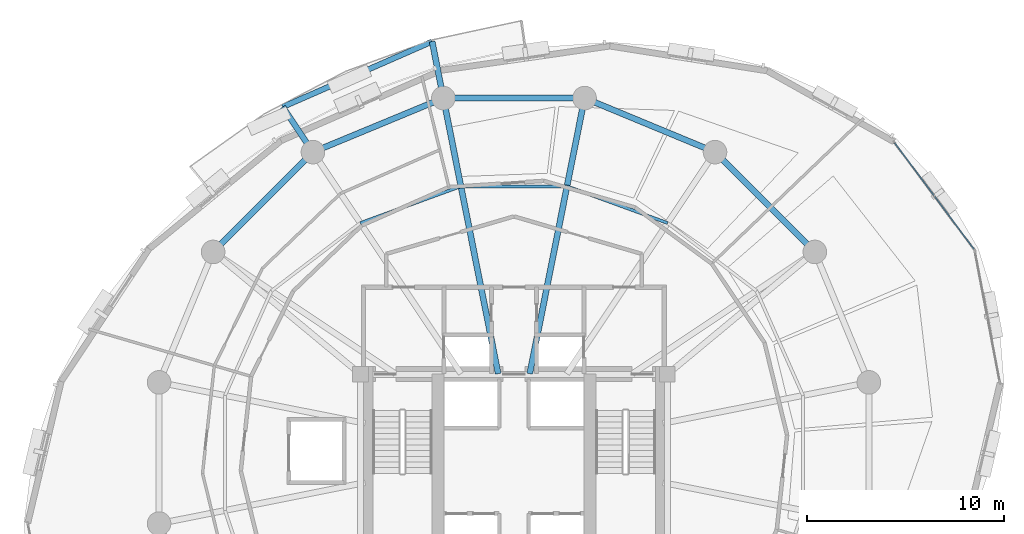
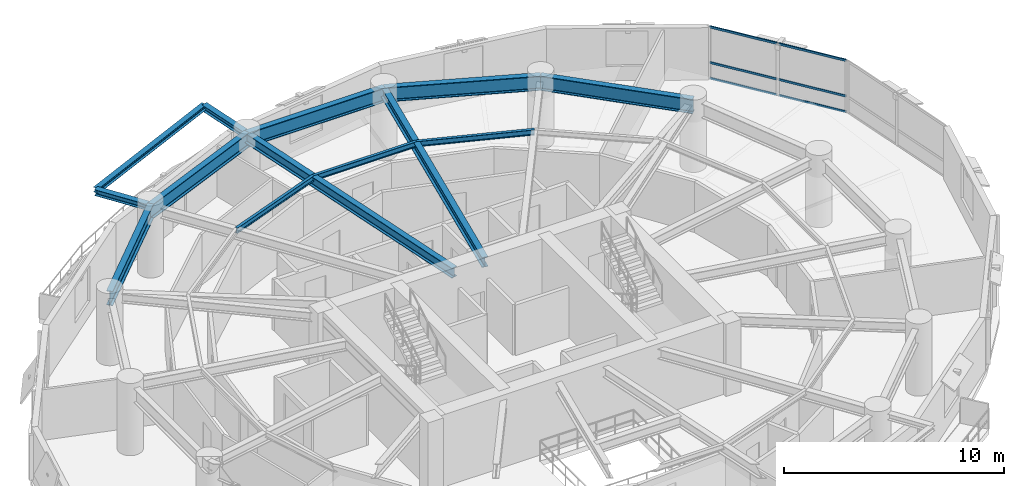
# One storey, part 7 of 14: 13 beams, 6 members, 1 element without a shape of its own.
"""IFC4 building model written with IfcOpenShell, lengths in metres."""

from ifc_helpers import new_model, si_unit, direction, frame, origin, origin_2d, place, context, subcontext, project, spatial, hollow_rectangle, i_section, extrude, material, layer, layer_set, material_profile, profile_set, type_object, element, aggregate, save


model = new_model("IFC4")

# Units and contexts
model_context = context("Model", 3, precision=1e-05, world=origin(), true_north=direction((0.0, 1.0)))
body_context = subcontext(model_context, "Body", "Model", "MODEL_VIEW")
ifc_project = project(units=[si_unit("LENGTHUNIT", "METRE"), si_unit("AREAUNIT", "SQUARE_METRE"), si_unit("VOLUMEUNIT", "CUBIC_METRE"), si_unit("PLANEANGLEUNIT", "RADIAN"), si_unit("MASSUNIT", "GRAM", prefix="KILO"), si_unit("THERMODYNAMICTEMPERATUREUNIT", "KELVIN"), si_unit("POWERUNIT", "WATT")], contexts=[model_context])

# Site, building, storey
site_placement = place(None, origin())
site = spatial("IfcSite", under=ifc_project, at=site_placement, CompositionType="ELEMENT")
building_placement = place(site_placement, origin())
building = spatial("IfcBuilding", under=site, at=building_placement, Name="Ocrelia Relay Tower", CompositionType="ELEMENT")
storey_placement = place(building_placement, frame((0.0, 0.0, 133.800048828125)))
storey = spatial("IfcBuildingStorey", under=building, at=storey_placement, Name="L31", CompositionType="ELEMENT", Elevation=133.800048828125)

# Beams
ifc_material_1 = material(Name="Steel S355", Category="steel")
ifc_material_profile_1 = material_profile(ifc_material_1, i_section(OverallWidth=0.280029296875, OverallDepth=0.27001953125, WebThickness=0.008056640625, FlangeThickness=0.012939453125, FilletRadius=0.02392578125, at=origin_2d()), Name="HEA 280")
ifc_profile_set_1 = profile_set([ifc_material_profile_1], Name="Steel S355")
beam_type_1 = type_object("IfcBeamType", Name="BM-HEA280", PredefinedType="BEAM", material=ifc_profile_set_1)
beam_1_placement = place(storey_placement, frame((29.838134765625, 46.923095703125, 3.5849609375), z_axis=(-0.916016054954, -0.401141604755, 0.0), x_axis=(0.401141604755, -0.916016054954, 0.0)))
element("IfcBeam", 1, at=beam_1_placement, inside=storey, type_object=beam_type_1, Name="L32 Balcony Edge Trimmer Beam B1", PredefinedType="BEAM", context=body_context, shape_type="SweptSolid", body=[
    extrude(i_section(OverallWidth=0.280029296875, OverallDepth=0.27001953125, WebThickness=0.008056640625, FlangeThickness=0.012939453125, FilletRadius=0.02392578125, at=origin_2d()), origin(), (0.0, 0.0, 1.0), 8.29248046875),
])
ifc_material_profile_2 = material_profile(ifc_material_1, i_section(OverallWidth=0.300048828125, OverallDepth=0.330078125, WebThickness=0.009521484375, FlangeThickness=0.0166015625, FilletRadius=0.027099609375, at=origin_2d()), Name="HEA 340")
ifc_profile_set_2 = profile_set([ifc_material_profile_2], Name="Steel S355")
beam_type_2 = type_object("IfcBeamType", Name="BM-HEA340", PredefinedType="BEAM", material=ifc_profile_set_2)
beam_2_placement = place(storey_placement, frame((30.410400390625, 44.04638671875, 3.554931640625), z_axis=(-0.195107582874, 0.980781846847, 0.0), x_axis=(-0.980781846847, -0.195107582874, 0.0)))
element("IfcBeam", 2, at=beam_2_placement, inside=storey, type_object=beam_type_2, Name="L32 Balcony Cantilever Beam B1-1", PredefinedType="BEAM", context=body_context, shape_type="SweptSolid", body=[
    extrude(i_section(OverallWidth=0.300048828125, OverallDepth=0.330078125, WebThickness=0.009521484375, FlangeThickness=0.0166015625, FilletRadius=0.027099609375, at=origin_2d()), origin(), (0.0, 0.0, 1.0), 2.93310546875),
])
beam_3_placement = place(storey_placement, frame((23.777587890625, 41.299072265625, 3.554931640625), z_axis=(-0.555617313636, 0.831438152112, 0.0), x_axis=(-0.831438152112, -0.555617313636, 0.0)))
element("IfcBeam", 3, at=beam_3_placement, inside=storey, type_object=beam_type_2, Name="L32 Balcony Cantilever Beam B1-2", PredefinedType="BEAM", context=body_context, shape_type="SweptSolid", body=[
    extrude(i_section(OverallWidth=0.300048828125, OverallDepth=0.330078125, WebThickness=0.009521484375, FlangeThickness=0.0166015625, FilletRadius=0.027099609375, at=origin_2d()), origin(), (0.0, 0.0, 1.0), 2.763427734375),
])
ifc_material_profile_3 = material_profile(ifc_material_1, i_section(OverallWidth=0.300048828125, OverallDepth=0.550048828125, WebThickness=0.014892578125, FlangeThickness=0.029052734375, FilletRadius=0.027099609375, at=origin_2d()), Name="HEB 550")
ifc_profile_set_3 = profile_set([ifc_material_profile_3], Name="Steel S355")
beam_type_3 = type_object("IfcBeamType", Name="BM-HEB550", PredefinedType="BEAM", material=ifc_profile_set_3)
for number, where, z_axis, x_axis, name in (
    (4, (37.589599609375, 44.04638671875, 3.445068359375), (-0.195094300142, -0.980784489096, 0.0), (0.980784489096, -0.195094300142, 0.0), "L31 Radial Floor Girder R04"),
    (5, (30.410400390625, 44.04638671875, 3.445068359375), (0.195094300142, -0.980784489096, 0.0), (0.980784489096, 0.195094300142, 0.0), "L31 Radial Floor Girder R05"),
):
    element("IfcBeam", number, at=place(storey_placement, frame(where, z_axis=z_axis, x_axis=x_axis)), inside=storey, type_object=beam_type_3, Name=name, PredefinedType="BEAM", context=body_context, shape_type="SweptSolid", body=[
        extrude(i_section(OverallWidth=0.300048828125, OverallDepth=0.550048828125, WebThickness=0.014892578125, FlangeThickness=0.029052734375, FilletRadius=0.027099609375, at=origin_2d()), origin(), (0.0, 0.0, 1.0), 14.291015625),
    ])
ifc_material_profile_4 = material_profile(ifc_material_1, i_section(OverallWidth=0.300048828125, OverallDepth=0.800048828125, WebThickness=0.017578125, FlangeThickness=0.032958984375, FilletRadius=0.030029296875, at=origin_2d()), Name="HEB 800")
ifc_profile_set_4 = profile_set([ifc_material_profile_4], Name="Steel S355")
beam_type_4 = type_object("IfcBeamType", Name="BM-HEB800", PredefinedType="BEAM", material=ifc_profile_set_4)
beam_4_placement = place(storey_placement, frame((49.299072265625, 36.222412109375, 3.320068359375), z_axis=(-0.707106781187, 0.707106781187, 0.0), x_axis=(-0.707106781187, -0.707106781187, 0.0)))
element("IfcBeam", 6, at=beam_4_placement, inside=storey, type_object=beam_type_4, Name="L31 Perimeter Spandrel Beam S02", PredefinedType="BEAM", context=body_context, shape_type="SweptSolid", body=[
    extrude(i_section(OverallWidth=0.300048828125, OverallDepth=0.800048828125, WebThickness=0.017578125, FlangeThickness=0.032958984375, FilletRadius=0.030029296875, at=origin_2d()), origin(), (0.0, 0.0, 1.0), 7.179443359375),
])
for number, where, z_axis, x_axis, name in (
    (7, (44.222412109375, 41.299072265625, 3.320068359375), (-0.923883789366, 0.382673155247, 0.0), (-0.382673155247, -0.923883789366, 0.0), "L31 Perimeter Spandrel Beam S03"),
    (8, (37.589599609375, 44.04638671875, 3.320068359375), (-1.0, 0.0, 0.0), (0.0, -1.0, 0.0), "L31 Perimeter Spandrel Beam S04"),
    (9, (30.410400390625, 44.04638671875, 3.320068359375), (-0.923883789366, -0.382673155247, 0.0), (0.382673155247, -0.923883789366, 0.0), "L31 Perimeter Spandrel Beam S05"),
):
    element("IfcBeam", number, at=place(storey_placement, frame(where, z_axis=z_axis, x_axis=x_axis)), inside=storey, type_object=beam_type_4, Name=name, PredefinedType="BEAM", context=body_context, shape_type="SweptSolid", body=[
        extrude(i_section(OverallWidth=0.300048828125, OverallDepth=0.800048828125, WebThickness=0.017578125, FlangeThickness=0.032958984375, FilletRadius=0.030029296875, at=origin_2d()), origin(), (0.0, 0.0, 1.0), 7.17919921875),
    ])
beam_5_placement = place(storey_placement, frame((23.777587890625, 41.299072265625, 3.320068359375), z_axis=(-0.707106781187, -0.707106781187, 0.0), x_axis=(0.707106781187, -0.707106781187, 0.0)))
element("IfcBeam", 10, at=beam_5_placement, inside=storey, type_object=beam_type_4, Name="L31 Perimeter Spandrel Beam S06", PredefinedType="BEAM", context=body_context, shape_type="SweptSolid", body=[
    extrude(i_section(OverallWidth=0.300048828125, OverallDepth=0.800048828125, WebThickness=0.017578125, FlangeThickness=0.032958984375, FilletRadius=0.030029296875, at=origin_2d()), origin(), (0.0, 0.0, 1.0), 7.179443359375),
])
ifc_material_profile_5 = material_profile(ifc_material_1, i_section(OverallWidth=0.14990234375, OverallDepth=0.300048828125, WebThickness=0.007080078125, FlangeThickness=0.0107421875, FilletRadius=0.014892578125, at=origin_2d()), Name="IPE 300")
ifc_profile_set_5 = profile_set([ifc_material_profile_5], Name="Steel S355")
beam_type_5 = type_object("IfcBeamType", Name="BM-IPE300", PredefinedType="JOIST", material=ifc_profile_set_5)
beam_6_placement = place(storey_placement, frame((41.81298828125, 37.69287109375, 3.570068359375), z_axis=(-0.93930687927, 0.34307810562, 0.0), x_axis=(-0.34307810562, -0.93930687927, 0.0)))
element("IfcBeam", 11, at=beam_6_placement, inside=storey, type_object=beam_type_5, Name="L31 Secondary Floor Joist J03", PredefinedType="JOIST", context=body_context, shape_type="SweptSolid", body=[
    extrude(i_section(OverallWidth=0.14990234375, OverallDepth=0.300048828125, WebThickness=0.007080078125, FlangeThickness=0.0107421875, FilletRadius=0.014892578125, at=origin_2d()), origin(), (0.0, 0.0, 1.0), 5.446044921875),
])
beam_7_placement = place(storey_placement, frame((36.697509765625, 39.561279296875, 3.570068359375), z_axis=(-1.0, 0.0, 0.0), x_axis=(0.0, -1.0, 0.0)))
element("IfcBeam", 12, at=beam_7_placement, inside=storey, type_object=beam_type_5, Name="L31 Secondary Floor Joist J04", PredefinedType="JOIST", context=body_context, shape_type="SweptSolid", body=[
    extrude(i_section(OverallWidth=0.14990234375, OverallDepth=0.300048828125, WebThickness=0.007080078125, FlangeThickness=0.0107421875, FilletRadius=0.014892578125, at=origin_2d()), origin(), (0.0, 0.0, 1.0), 5.39501953125),
])
beam_8_placement = place(storey_placement, frame((31.302490234375, 39.561279296875, 3.570068359375), z_axis=(-0.93930687927, -0.34307810562, 0.0), x_axis=(0.34307810562, -0.93930687927, 0.0)))
element("IfcBeam", 13, at=beam_8_placement, inside=storey, type_object=beam_type_5, Name="L31 Secondary Floor Joist J05", PredefinedType="JOIST", context=body_context, shape_type="SweptSolid", body=[
    extrude(i_section(OverallWidth=0.14990234375, OverallDepth=0.300048828125, WebThickness=0.007080078125, FlangeThickness=0.0107421875, FilletRadius=0.014892578125, at=origin_2d()), origin(), (0.0, 0.0, 1.0), 5.446044921875),
])

# Curtain wall, members
ifc_material_2 = material(Name="Aluminium and solar-control low-E glass", Category="aluminium")
ifc_layer = layer(ifc_material_2, 0.179931640625, Name="Aluminium and solar-control low-E glass")
ifc_layer_set = layer_set([ifc_layer], Name="Aluminium and solar-control low-E glass")
curtain_wall_type = type_object("IfcCurtainWallType", Name="CW-SYS-Z2-SWIT", PredefinedType="NOTDEFINED", material=ifc_layer_set)
curtain_wall_placement = place(storey_placement, origin())
curtain_wall = element("IfcCurtainWall", 14, at=curtain_wall_placement, inside=storey, type_object=curtain_wall_type, Name="L31 Elliptical Tower Curtain Wall Bay 01", PredefinedType="NOTDEFINED")
ifc_material_3 = material(Name="Anodised bronze aluminium", Category="aluminium")
ifc_material_profile_6 = material_profile(ifc_material_3, hollow_rectangle(XDim=0.06005859375, YDim=0.1201171875, WallThickness=0.0048828125, at=origin_2d()), Name="CW-TRN-120x60")
ifc_profile_set_6 = profile_set([ifc_material_profile_6], Name="Anodised bronze aluminium")
member_type = type_object("IfcMemberType", Name="CW-SYS-Z2-SWIT-TRN", PredefinedType="USERDEFINED", material=ifc_profile_set_6)
member_1_placement = place(storey_placement, frame((57.39013671875, 36.366455078125, 0.030029296875), z_axis=(-0.597889268807, 0.801578706208, 0.0), x_axis=(-0.801578706208, -0.597889268807, 0.0)))
member_1 = element("IfcMember", 15, at=member_1_placement, type_object=member_type, Name="CW-Z2 transom 1.1", ObjectType="TRANSOM", PredefinedType="USERDEFINED", context=body_context, shape_type="SweptSolid", body=[
    extrude(hollow_rectangle(XDim=0.06005859375, YDim=0.1201171875, WallThickness=0.0048828125, at=origin_2d()), origin(), (0.0, 0.0, 1.0), 3.33447265625),
])
member_2_placement = place(storey_placement, frame((57.39013671875, 36.366455078125, 0.89990234375), z_axis=(-0.597889268807, 0.801578706208, 0.0), x_axis=(-0.801578706208, -0.597889268807, 0.0)))
member_2 = element("IfcMember", 16, at=member_2_placement, type_object=member_type, Name="CW-Z2 transom 1.2", ObjectType="TRANSOM", PredefinedType="USERDEFINED", context=body_context, shape_type="SweptSolid", body=[
    extrude(hollow_rectangle(XDim=0.06005859375, YDim=0.1201171875, WallThickness=0.0048828125, at=origin_2d()), origin(), (0.0, 0.0, 1.0), 3.33447265625),
])
member_3_placement = place(storey_placement, frame((57.39013671875, 36.366455078125, 2.869873046875), z_axis=(-0.597889268807, 0.801578706208, 0.0), x_axis=(-0.801578706208, -0.597889268807, 0.0)))
member_3 = element("IfcMember", 17, at=member_3_placement, type_object=member_type, Name="CW-Z2 transom 1.3", ObjectType="TRANSOM", PredefinedType="USERDEFINED", context=body_context, shape_type="SweptSolid", body=[
    extrude(hollow_rectangle(XDim=0.06005859375, YDim=0.1201171875, WallThickness=0.0048828125, at=origin_2d()), origin(), (0.0, 0.0, 1.0), 3.33447265625),
])
member_4_placement = place(storey_placement, frame((55.3544921875, 39.095458984375, 0.030029296875), z_axis=(-0.597889268807, 0.801578706208, 0.0), x_axis=(-0.801578706208, -0.597889268807, 0.0)))
member_4 = element("IfcMember", 18, at=member_4_placement, type_object=member_type, Name="CW-Z2 transom 2.1", ObjectType="TRANSOM", PredefinedType="USERDEFINED", context=body_context, shape_type="SweptSolid", body=[
    extrude(hollow_rectangle(XDim=0.06005859375, YDim=0.1201171875, WallThickness=0.0048828125, at=origin_2d()), origin(), (0.0, 0.0, 1.0), 3.33447265625),
])
member_5_placement = place(storey_placement, frame((55.3544921875, 39.095458984375, 0.89990234375), z_axis=(-0.597889268807, 0.801578706208, 0.0), x_axis=(-0.801578706208, -0.597889268807, 0.0)))
member_5 = element("IfcMember", 19, at=member_5_placement, type_object=member_type, Name="CW-Z2 transom 2.2", ObjectType="TRANSOM", PredefinedType="USERDEFINED", context=body_context, shape_type="SweptSolid", body=[
    extrude(hollow_rectangle(XDim=0.06005859375, YDim=0.1201171875, WallThickness=0.0048828125, at=origin_2d()), origin(), (0.0, 0.0, 1.0), 3.33447265625),
])
member_6_placement = place(storey_placement, frame((55.3544921875, 39.095458984375, 2.869873046875), z_axis=(-0.597889268807, 0.801578706208, 0.0), x_axis=(-0.801578706208, -0.597889268807, 0.0)))
member_6 = element("IfcMember", 20, at=member_6_placement, type_object=member_type, Name="CW-Z2 transom 2.3", ObjectType="TRANSOM", PredefinedType="USERDEFINED", context=body_context, shape_type="SweptSolid", body=[
    extrude(hollow_rectangle(XDim=0.06005859375, YDim=0.1201171875, WallThickness=0.0048828125, at=origin_2d()), origin(), (0.0, 0.0, 1.0), 3.33447265625),
])
aggregate(curtain_wall, [member_1, member_2, member_3, member_4, member_5, member_6])

save(model, "model.ifc")
